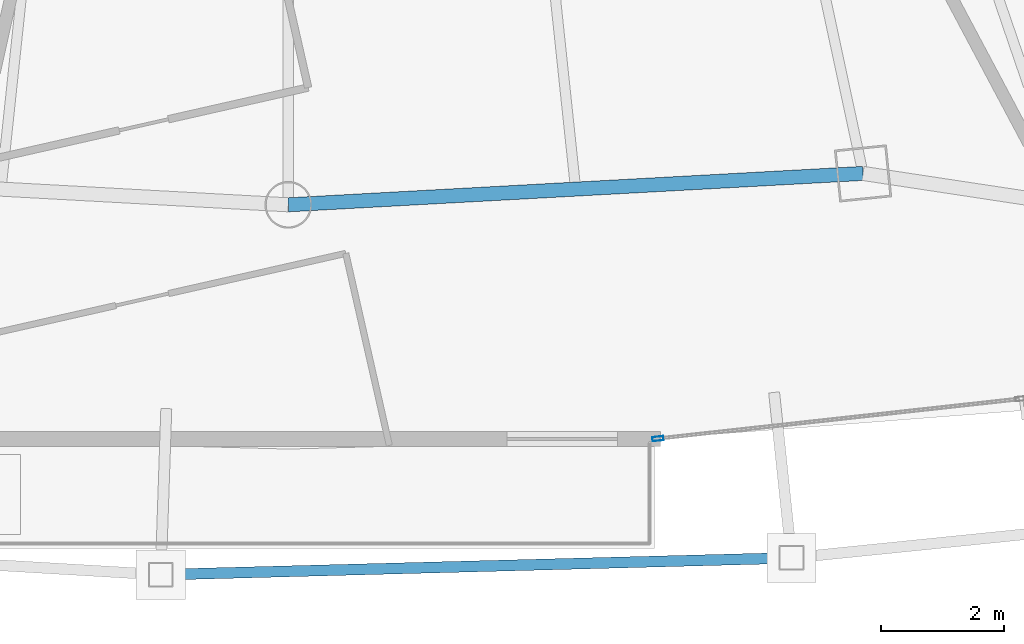
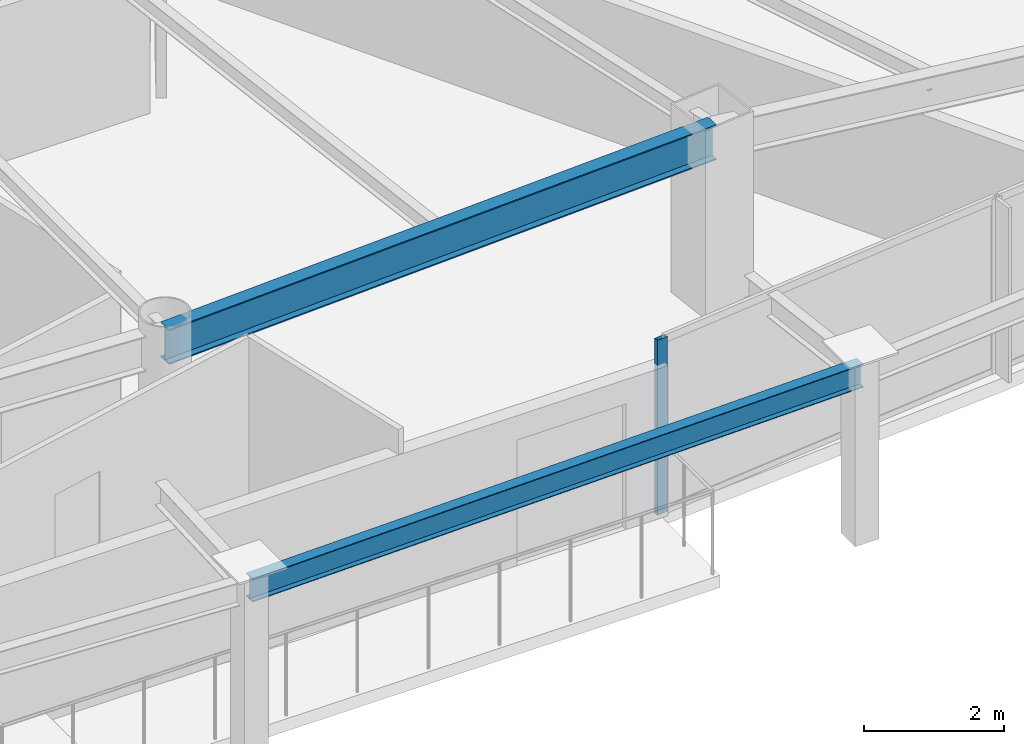
# One storey, part 8 of 33: 2 beams, 1 member, 1 element without a shape of its own.
"""IFC4 building model written with IfcOpenShell, lengths in metres."""

from ifc_helpers import new_model, si_unit, direction, frame, origin, origin_2d, place, context, subcontext, project, spatial, hollow_rectangle, i_section, extrude, material, layer, layer_set, material_profile, profile_set, type_object, element, aggregate, save


model = new_model("IFC4")

# Units and contexts
model_context = context("Model", 3, precision=1e-05, world=origin(), true_north=direction((0.0, 1.0)))
body_context = subcontext(model_context, "Body", "Model", "MODEL_VIEW")
ifc_project = project(units=[si_unit("LENGTHUNIT", "METRE"), si_unit("AREAUNIT", "SQUARE_METRE"), si_unit("VOLUMEUNIT", "CUBIC_METRE"), si_unit("PLANEANGLEUNIT", "RADIAN"), si_unit("MASSUNIT", "GRAM", prefix="KILO")], contexts=[model_context])

# Site, building, storey
site_placement = place(None, origin())
site = spatial("IfcSite", under=ifc_project, at=site_placement, CompositionType="ELEMENT")
building_placement = place(site_placement, origin())
building = spatial("IfcBuilding", under=site, at=building_placement, Name="Orvanel Arch Residences", CompositionType="ELEMENT")
storey_placement = place(building_placement, frame((0.0, 0.0, 123.199951171875)))
storey = spatial("IfcBuildingStorey", under=building, at=storey_placement, Name="L34", CompositionType="ELEMENT", Elevation=123.199951171875)

# Curtain wall, member
ifc_material_1 = material(Name="Bronze-anodised aluminium AA6063-T6", Category="aluminium")
ifc_layer = layer(ifc_material_1, 0.179931640625)
ifc_layer_set = layer_set([ifc_layer], Name="Bronze-anodised aluminium AA6063-T6")
curtain_wall_type = type_object("IfcCurtainWallType", Name="CW3-MID-SYS", PredefinedType="NOTDEFINED", material=ifc_layer_set)
curtain_wall_placement = place(storey_placement, origin())
curtain_wall = element("IfcCurtainWall", 1, at=curtain_wall_placement, inside=storey, type_object=curtain_wall_type, Name="L34 CW3-MID-SYS Unitised Curtain Wall", PredefinedType="NOTDEFINED")
ifc_material_profile_1 = material_profile(ifc_material_1, hollow_rectangle(XDim=0.070068359375, YDim=0.179931640625, WallThickness=0.00439453125, at=origin_2d()), Name="ALU180x70x4.5")
ifc_profile_set_1 = profile_set([ifc_material_profile_1], Name="Bronze-anodised aluminium AA6063-T6")
member_type = type_object("IfcMemberType", Name="MUL-180x70", PredefinedType="MULLION", material=ifc_profile_set_1)
member_placement = place(storey_placement, frame((39.013671875, 3.038818359375, 0.0), z_axis=(0.0, 0.0, 1.0), x_axis=(-0.109397745116, 0.99399805501, 0.0)))
member = element("IfcMember", 2, at=member_placement, type_object=member_type, Name="CW-S3 mullion 1", PredefinedType="MULLION", context=body_context, shape_type="SweptSolid", body=[
    extrude(hollow_rectangle(XDim=0.070068359375, YDim=0.179931640625, WallThickness=0.00439453125, at=origin_2d()), origin(), (0.0, 0.0, 1.0), 3.06005859375),
])
aggregate(curtain_wall, [member])

# Beams
ifc_material_2 = material(Name="Structural steel AS/NZS 3679.1 Grade 300 (300 MPa)", Category="steel")
ifc_material_profile_2 = material_profile(ifc_material_2, i_section(OverallWidth=0.177978515625, OverallDepth=0.406005859375, WebThickness=0.0078125, FlangeThickness=0.0126953125, at=origin_2d()), Name="410UB59.7")
ifc_profile_set_2 = profile_set([ifc_material_profile_2], Name="Structural steel AS/NZS 3679.1 Grade 300 (300 MPa)")
beam_type_1 = type_object("IfcBeamType", Name="OB-410UB-EXT", PredefinedType="SPANDREL", material=ifc_profile_set_2)
beam_1_placement = place(storey_placement, frame((30.924072265625, 0.825927734375, 2.85693359375), z_axis=(0.999645891771, 0.026609980562, 0.0), x_axis=(-0.026609980562, 0.999645891771, 0.0)))
element("IfcBeam", 3, at=beam_1_placement, inside=storey, type_object=beam_type_1, Name="L34 Outer Perimeter Floor Ring Beam 06", PredefinedType="SPANDREL", context=body_context, shape_type="SweptSolid", body=[
    extrude(i_section(OverallWidth=0.177978515625, OverallDepth=0.406005859375, WebThickness=0.0078125, FlangeThickness=0.0126953125, at=origin_2d()), origin(), (0.0, 0.0, 1.0), 10.2666015625),
])
ifc_material_profile_3 = material_profile(ifc_material_2, i_section(OverallWidth=0.22900390625, OverallDepth=0.612060546875, WebThickness=0.011962890625, FlangeThickness=0.01953125, at=origin_2d()), Name="610UB125")
ifc_profile_set_3 = profile_set([ifc_material_profile_3], Name="Structural steel AS/NZS 3679.1 Grade 300 (300 MPa)")
beam_type_2 = type_object("IfcBeamType", Name="SP-610UB", PredefinedType="SPANDREL", material=ifc_profile_set_3)
beam_2_placement = place(storey_placement, frame((33.0, 6.843994140625, 2.754150390625), z_axis=(0.998510315598, 0.054563262768, 0.0), x_axis=(-0.054563262768, 0.998510315598, 0.0)))
element("IfcBeam", 4, at=beam_2_placement, inside=storey, type_object=beam_type_2, Name="L34 Perimeter Spandrel Beam 06", PredefinedType="SPANDREL", context=body_context, shape_type="SweptSolid", body=[
    extrude(i_section(OverallWidth=0.22900390625, OverallDepth=0.612060546875, WebThickness=0.011962890625, FlangeThickness=0.01953125, at=origin_2d()), origin(), (0.0, 0.0, 1.0), 9.364990234375),
])

save(model, "model.ifc")
